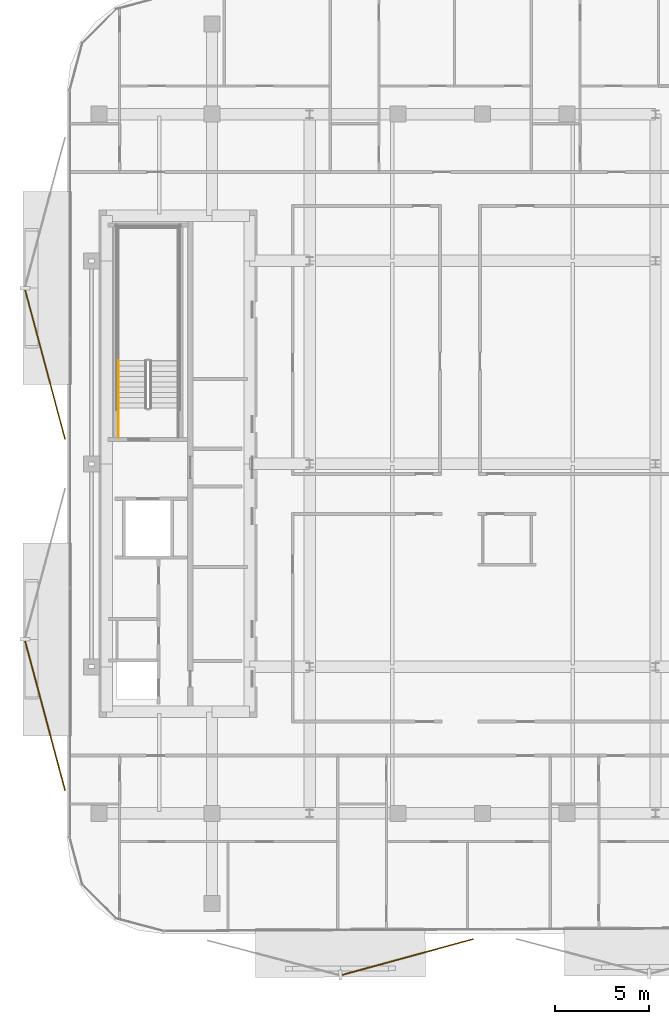
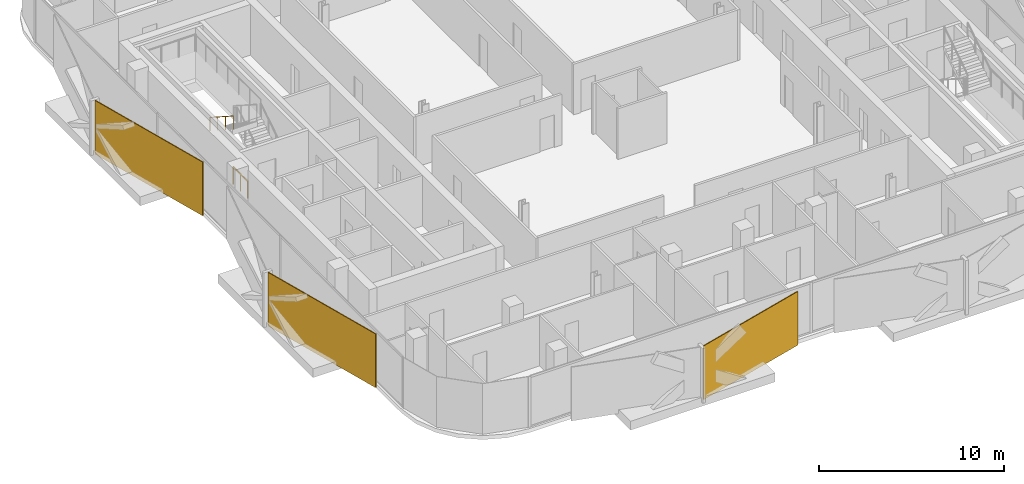
# One storey, part 13 of 16: 3 coverings, 2 railings.
"""IFC4 building model written with IfcOpenShell, lengths in metres."""

from ifc_helpers import new_model, si_unit, direction, frame, origin, origin_2d, place, context, subcontext, project, spatial, rectangle, circle, extrude, material, layer, layer_set, type_object, element, save


model = new_model("IFC4")

# Units and contexts
model_context = context("Model", 3, precision=1e-05, world=origin(), true_north=direction((0.0, 1.0)))
body_context = subcontext(model_context, "Body", "Model", "MODEL_VIEW")
ifc_project = project(units=[si_unit("LENGTHUNIT", "METRE"), si_unit("AREAUNIT", "SQUARE_METRE"), si_unit("VOLUMEUNIT", "CUBIC_METRE"), si_unit("PLANEANGLEUNIT", "RADIAN"), si_unit("MASSUNIT", "GRAM", prefix="KILO")], contexts=[model_context])

# Site, building, storey
site_placement = place(None, origin())
site = spatial("IfcSite", under=ifc_project, at=site_placement, CompositionType="ELEMENT")
building_placement = place(site_placement, origin())
building = spatial("IfcBuilding", under=site, at=building_placement, Name="Khairoan Windgate Tower", CompositionType="ELEMENT")
storey_placement = place(building_placement, frame((0.0, 0.0, 247.60009765625)))
storey = spatial("IfcBuildingStorey", under=building, at=storey_placement, Name="L58", CompositionType="ELEMENT", Elevation=247.60009765625)

# Coverings
ifc_material_1 = material(Name="Anodised Bronze Aluminium 6063-T6", Category="aluminium")
ifc_layer = layer(ifc_material_1, 0.054931640625, Name="Anodised Bronze Aluminium 6063-T6")
ifc_layer_set = layer_set([ifc_layer], Name="Anodised Bronze Aluminium 6063-T6")
covering_type = type_object("IfcCoveringType", Name="Perforated Bronze-Ceramic Folded Solar Screen Cladding BSC-1", PredefinedType="CLADDING", material=ifc_layer_set)
covering_placement = place(storey_placement, frame((-3.982421875, -26.241455078125, -0.10009765625), z_axis=(0.0, 0.0, 1.0), x_axis=(-0.964649468762, -0.263536339841, 0.0)))
element("IfcCovering", 1, at=covering_placement, inside=storey, type_object=covering_type, Name="L58 Folded Bronze Solar Screen Facet 394L", PredefinedType="CLADDING", context=body_context, shape_type="SweptSolid", body=[
    extrude(rectangle(XDim=7.23193359375, YDim=0.054931640625, at=origin_2d()), origin(), (0.0, 0.0, 1.0), 3.5400390625),
])
for number, where, z_axis, x_axis, name in (
    (2, (-23.275634765625, -13.4072265625, -0.10009765625), (0.0, 0.0, 1.0), (-0.258819045103, 0.965925826289, 0.0), "L58 Folded Bronze Solar Screen Facet 395L"),
    (3, (-23.275634765625, 5.283447265625, -0.10009765625), (0.0, 0.0, 1.0), (-0.258819045103, 0.965925826289, 0.0), "L58 Folded Bronze Solar Screen Facet 396L"),
):
    element("IfcCovering", number, at=place(storey_placement, frame(where, z_axis=z_axis, x_axis=x_axis)), inside=storey, type_object=covering_type, Name=name, PredefinedType="CLADDING", context=body_context, shape_type="SweptSolid", body=[
        extrude(rectangle(XDim=8.22412109375, YDim=0.054931640625, at=origin_2d()), origin(), (0.0, 0.0, 1.0), 3.5400390625),
    ])

# Railings
ifc_material_2 = material(Name="Anodised Bronze Aluminium 6063-T6", Category="aluminium")
railing_type_1 = type_object("IfcRailingType", Name="Stair Wall Handrail SHR-900", PredefinedType="HANDRAIL", material=ifc_material_2)
railing_1_placement = place(storey_placement, frame((-19.3701171875, 5.47998046875, 1.97998046875)))
element("IfcRailing", 4, at=railing_1_placement, inside=storey, type_object=railing_type_1, Name="L58 ST2 stair handrail 2", PredefinedType="HANDRAIL", context=body_context, shape_type="SweptSolid", body=[
    extrude(circle(Radius=0.02392578125, at=origin_2d()), frame((0.0, 0.0, 0.8759765625), z_axis=(0.0, -0.841199657755, 0.540724639528), x_axis=(1.0, 0.0, 0.0)), (0.0, 0.0, 1.0), 2.995849609375),
    extrude(circle(Radius=0.02099609375, at=origin_2d()), origin(), (0.0, 0.0, 1.0), 0.851806640625),
    extrude(circle(Radius=0.02099609375, at=origin_2d()), frame((0.0, -0.840087890625, 0.5400390625)), (0.0, 0.0, 1.0), 0.851806640625),
    extrude(circle(Radius=0.02099609375, at=origin_2d()), frame((0.0, -1.679931640625, 1.079833984375)), (0.0, 0.0, 1.0), 0.851806640625),
    extrude(circle(Radius=0.02099609375, at=origin_2d()), frame((0.0, -2.52001953125, 1.619873046875)), (0.0, 0.0, 1.0), 0.851806640625),
])
ifc_material_3 = material(Name="Steel S355", Category="steel")
railing_type_2 = type_object("IfcRailingType", Name="Stairwell Safety Guardrail SGR-1150", PredefinedType="GUARDRAIL", material=ifc_material_3)
railing_2_placement = place(storey_placement, frame((-19.3701171875, 1.39990234375, 0.0)))
element("IfcRailing", 5, at=railing_2_placement, inside=storey, type_object=railing_type_2, Name="L58 ST2 stair guard 9", PredefinedType="GUARDRAIL", context=body_context, shape_type="SweptSolid", body=[
    extrude(circle(Radius=0.02392578125, at=origin_2d()), frame((0.0, 0.0, 1.1259765625), z_axis=(0.0, 1.0, 0.0), x_axis=(-1.0, 0.0, 0.0)), (0.0, 0.0, 1.0), 1.56005859375),
    extrude(circle(Radius=0.02099609375, at=origin_2d()), origin(), (0.0, 0.0, 1.0), 1.101806640625),
    extrude(circle(Radius=0.02099609375, at=origin_2d()), frame((0.0, 0.780029296875, 0.0)), (0.0, 0.0, 1.0), 1.101806640625),
    extrude(circle(Radius=0.02099609375, at=origin_2d()), frame((0.0, 1.56005859375, 0.0)), (0.0, 0.0, 1.0), 1.101806640625),
])

save(model, "model.ifc")
